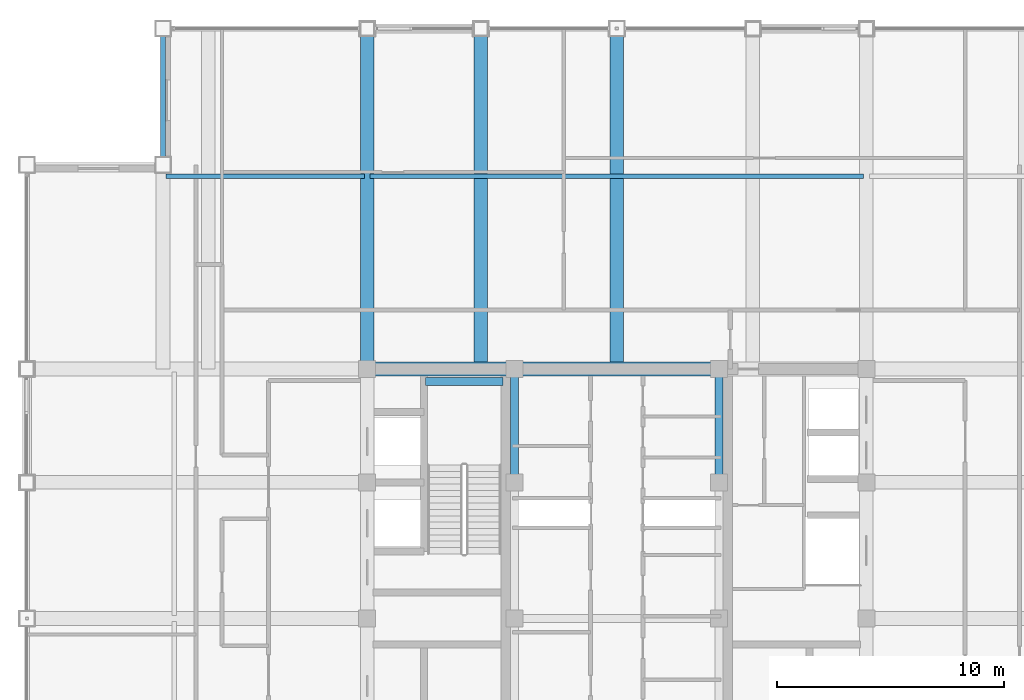
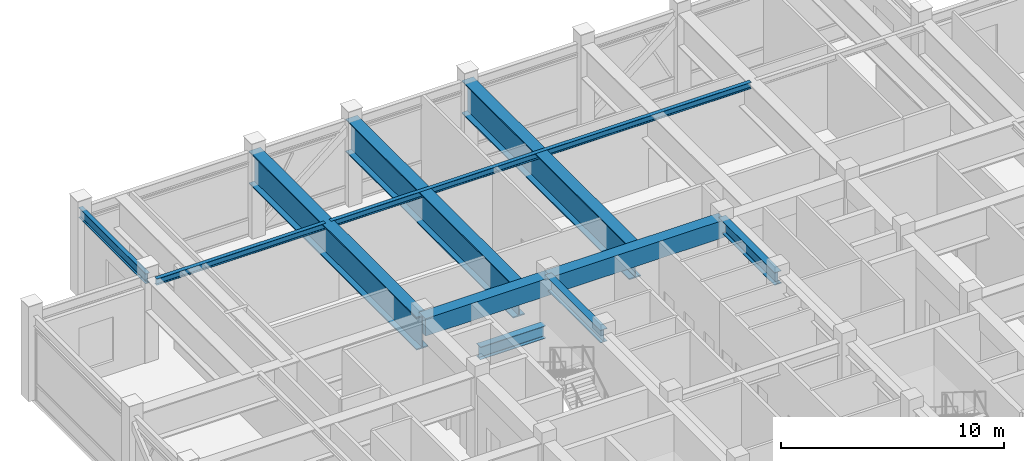
# One storey, part 15 of 29: 11 beams.
"""IFC4 building model written with IfcOpenShell, lengths in metres."""

import ifcopenshell
import ifcopenshell.guid

model = None  # the IFC model being written
_history = None  # IfcOwnerHistory: only IFC2X3 demands one
_inside = {}  # id of a spatial element -> (the spatial element, [elements in it])
_under = {}  # id of a project, library or spatial element -> (it, [spatial elements below it])
_declared = {}  # id of a project -> (the project, [libraries it declares])
_typed = {}  # id of a type object -> (the type object, [elements of that type])
_made_of = {}  # id of a material, layer set ... -> (it, [elements and type objects made of it])


def new_model(schema):
    """Start an empty IFC model of exactly this schema.

    Asked for "IFC4X3", IfcOpenShell would pick the latest addendum, in which some entities
    have other attributes; the version numbers below select the first issue.
    IFC2X3 requires an IfcOwnerHistory on every rooted entity: one is made here for all.
    """
    global model, _history
    if schema == "IFC4X3":
        model = ifcopenshell.file(schema_version=(4, 3, 0, 0))
    else:
        model = ifcopenshell.file(schema=schema)
    _inside.clear()
    _under.clear()
    _declared.clear()
    _typed.clear()
    _made_of.clear()
    _history = None
    if model.schema == "IFC2X3":
        org = make("IfcOrganization", Name="unknown")
        user = make(
            "IfcPersonAndOrganization",
            ThePerson=make("IfcPerson", FamilyName="unknown"),
            TheOrganization=org,
        )
        app = make(
            "IfcApplication",
            ApplicationDeveloper=org,
            Version="unknown",
            ApplicationFullName="unknown",
            ApplicationIdentifier="unknown",
        )
        _history = make(
            "IfcOwnerHistory",
            OwningUser=user,
            OwningApplication=app,
            ChangeAction="ADDED",
            CreationDate=0,
        )
    return model


def make(cls, **values):
    """One entity of the class cls with the attributes given. An attribute that is None is left unset."""
    return model.create_entity(
        cls, **{name: value for name, value in values.items() if value is not None}
    )


def rooted(cls, **values):
    """An entity with a GlobalId (a new one), such as an element, a storey or a relation."""
    return make(cls, GlobalId=ifcopenshell.guid.new(), OwnerHistory=_history, **values)


def si_unit(unit_type, name, prefix=None):
    """IfcSIUnit, for example si_unit("LENGTHUNIT", "METRE", prefix="MILLI")."""
    return make("IfcSIUnit", UnitType=unit_type, Prefix=prefix, Name=name)


def assignment(units):
    """IfcUnitAssignment: the units of a project."""
    return None if units is None else make("IfcUnitAssignment", Units=units)


def point(xyz):
    """IfcCartesianPoint."""
    return None if xyz is None else make("IfcCartesianPoint", Coordinates=xyz)


def direction(xyz):
    """IfcDirection."""
    return None if xyz is None else make("IfcDirection", DirectionRatios=xyz)


def frame(location, z_axis=None, x_axis=None):
    """IfcAxis2Placement3D, a coordinate frame: its origin and axes. An axis left out is left unset."""
    return make(
        "IfcAxis2Placement3D",
        Location=point(location),
        Axis=direction(z_axis),
        RefDirection=direction(x_axis),
    )


def frame_2d(location, x_axis=None):
    """IfcAxis2Placement2D, a coordinate frame in the plane: its origin and x axis."""
    return make(
        "IfcAxis2Placement2D", Location=point(location), RefDirection=direction(x_axis)
    )


def origin():
    """The frame at (0, 0, 0) with its axes left unset."""
    return frame((0.0, 0.0, 0.0))


def origin_2d():
    """The frame at (0, 0) in the plane with its x axis left unset."""
    return frame_2d((0.0, 0.0))


def place(relative_to, where):
    """IfcLocalPlacement: puts the frame where relative to a parent placement (None: the world)."""
    return make(
        "IfcLocalPlacement", PlacementRelTo=relative_to, RelativePlacement=where
    )


def context(
    kind, dimensions, precision=None, world=None, true_north=None, identifier=None
):
    """IfcGeometricRepresentationContext, for example the 3D "Model" context."""
    return make(
        "IfcGeometricRepresentationContext",
        ContextIdentifier=identifier,
        ContextType=kind,
        CoordinateSpaceDimension=dimensions,
        Precision=precision,
        WorldCoordinateSystem=world,
        TrueNorth=true_north,
    )


def subcontext(parent, identifier, kind, view, scale=None):
    """IfcGeometricRepresentationSubContext, for example "Body" below "Model"."""
    return make(
        "IfcGeometricRepresentationSubContext",
        ContextIdentifier=identifier,
        ContextType=kind,
        ParentContext=parent,
        TargetScale=scale,
        TargetView=view,
    )


def project(units=None, contexts=None):
    """IfcProject with its units and contexts."""
    return rooted(
        "IfcProject",
        Name="project",
        RepresentationContexts=contexts,
        UnitsInContext=assignment(units),
    )


def spatial(cls, under=None, at=None, **own):
    """A site, building, storey or space (cls), placed at a placement, below another one or the project."""
    s = rooted(cls, ObjectPlacement=at, **own)
    if under is not None:
        _under.setdefault(under.id(), (under, []))[1].append(s)
    return s


def profile(cls, at=None, kind="AREA", **sizes):
    """A parametric profile (cls). Its sizes go by their IFC names, for example OverallWidth=200.0."""
    return make(cls, ProfileType=kind, Position=at, **sizes)


def rectangle(**sizes):
    """IfcRectangleProfileDef."""
    return profile("IfcRectangleProfileDef", **sizes)


def i_section(**sizes):
    """IfcIShapeProfileDef."""
    return profile("IfcIShapeProfileDef", **sizes)


def extrude(swept, where, along, depth):
    """IfcExtrudedAreaSolid: the profile swept, set in the frame where, extruded along a direction by depth."""
    return make(
        "IfcExtrudedAreaSolid",
        SweptArea=swept,
        Position=where,
        ExtrudedDirection=direction(along),
        Depth=depth,
    )


def shape(context_of_items, identifier, shape_type, items):
    """IfcShapeRepresentation: the items that make up one representation, for example the "Body"."""
    return make(
        "IfcShapeRepresentation",
        ContextOfItems=context_of_items,
        RepresentationIdentifier=identifier,
        RepresentationType=shape_type,
        Items=items,
    )


def source(mapping_origin, context_of_items, identifier, shape_type, items):
    """IfcRepresentationMap: a shape defined once, which mapped items show again and again."""
    return make(
        "IfcRepresentationMap",
        MappingOrigin=mapping_origin,
        MappedRepresentation=shape(context_of_items, identifier, shape_type, items),
    )


def transform(
    local_origin,
    x_axis=None,
    y_axis=None,
    z_axis=None,
    scale=None,
    scale2=None,
    scale3=None,
    uniform=True,
):
    """IfcCartesianTransformationOperator3D, or its non-uniform kind. x_axis, y_axis, z_axis: its Axis1, 2, 3."""
    if uniform:
        return make(
            "IfcCartesianTransformationOperator3D",
            Axis1=direction(x_axis),
            Axis2=direction(y_axis),
            LocalOrigin=point(local_origin),
            Scale=scale,
            Axis3=direction(z_axis),
        )
    return make(
        "IfcCartesianTransformationOperator3DnonUniform",
        Axis1=direction(x_axis),
        Axis2=direction(y_axis),
        LocalOrigin=point(local_origin),
        Scale=scale,
        Axis3=direction(z_axis),
        Scale2=scale2,
        Scale3=scale3,
    )


def mapped(mapping_source, mapping_target):
    """IfcMappedItem: shows the shape of a source again, moved by a transform."""
    return make(
        "IfcMappedItem", MappingSource=mapping_source, MappingTarget=mapping_target
    )


def material(Name=None, Category=None):
    """IfcMaterial."""
    return make("IfcMaterial", Name=Name, Category=Category)


def material_profile(
    of_material, cross_section, Name=None, Category=None, Priority=None
):
    """IfcMaterialProfile: a cross section and its material."""
    return make(
        "IfcMaterialProfile",
        Name=Name,
        Material=of_material,
        Profile=cross_section,
        Priority=Priority,
        Category=Category,
    )


def profile_set(profiles, Name=None, composite=None):
    """IfcMaterialProfileSet."""
    return make(
        "IfcMaterialProfileSet",
        Name=Name,
        MaterialProfiles=profiles,
        CompositeProfile=composite,
    )


def made_of(thing, what):
    """Note that an element or type object is made of a material, layer set ...; save() writes the relation."""
    if what is not None:
        _made_of.setdefault(what.id(), (what, []))[1].append(thing)
    return thing


def type_object(cls, material=None, **own):
    """A type object (cls), such as IfcWallType, which elements share."""
    return made_of(rooted(cls, **own), material)


def element(
    cls,
    number,
    at=None,
    inside=None,
    cuts=None,
    type_object=None,
    material=None,
    context=None,
    identifier="Body",
    shape_type=None,
    held_by="IfcProductDefinitionShape",
    body=None,
    shapes=None,
    **own,
):
    """One element of the class cls, such as IfcWall. Its Tag is "e" and its number.

    at: its placement. inside: the storey or other place that contains it. cuts: it is an
    opening in that element (IfcRelVoidsElement). A single representation is given by context,
    identifier, shape_type and body (its items); several are given by shapes. held_by: the class
    of the entity that holds the representations. save() writes the other relations.
    """
    e = rooted(cls, Tag="e%d" % number, ObjectPlacement=at, **own)
    if body is not None:
        shapes = [shape(context, identifier, shape_type, body)]
    if shapes is not None:
        e.Representation = make(held_by, Representations=shapes)
    if inside is not None:
        _inside.setdefault(inside.id(), (inside, []))[1].append(e)
    if cuts is not None:
        rooted(
            "IfcRelVoidsElement", RelatingBuildingElement=cuts, RelatedOpeningElement=e
        )
    if type_object is not None:
        _typed.setdefault(type_object.id(), (type_object, []))[1].append(e)
    return made_of(e, material)


def aggregate(whole, parts):
    """IfcRelAggregates: a whole, such as a stair, and the parts it consists of."""
    return rooted("IfcRelAggregates", RelatingObject=whole, RelatedObjects=parts)


def save(model, path):
    """Write the relations noted so far, then the file.

    IfcRelAggregates (storeys below a building ...), IfcRelContainedInSpatialStructure (elements
    in a storey), IfcRelDefinesByType, IfcRelAssociatesMaterial and IfcRelDeclares: one each for
    every whole, place, type object, material and project.
    """
    for whole, parts in _under.values():
        aggregate(whole, parts)
    for where, things in _inside.values():
        rooted(
            "IfcRelContainedInSpatialStructure",
            RelatedElements=things,
            RelatingStructure=where,
        )
    for kind, things in _typed.values():
        rooted("IfcRelDefinesByType", RelatedObjects=things, RelatingType=kind)
    for what, things in _made_of.values():
        rooted("IfcRelAssociatesMaterial", RelatedObjects=things, RelatingMaterial=what)
    for by, libraries in _declared.values():
        rooted("IfcRelDeclares", RelatingContext=by, RelatedDefinitions=libraries)
    model.write(path)


model = new_model("IFC4")

# Units and contexts
model_context = context("Model", 3, precision=1e-05, world=origin(), true_north=direction((0.0, 1.0)))
body_context = subcontext(model_context, "Body", "Model", "MODEL_VIEW")
ifc_project = project(units=[si_unit("LENGTHUNIT", "METRE"), si_unit("AREAUNIT", "SQUARE_METRE"), si_unit("VOLUMEUNIT", "CUBIC_METRE"), si_unit("PLANEANGLEUNIT", "RADIAN"), si_unit("MASSUNIT", "GRAM", prefix="KILO")], contexts=[model_context])

# Site, building, storey
site_placement = place(None, origin())
site = spatial("IfcSite", under=ifc_project, at=site_placement, CompositionType="ELEMENT")
building_placement = place(site_placement, origin())
building = spatial("IfcBuilding", under=site, at=building_placement, Name="Khorayat Bourse Tower", CompositionType="ELEMENT")
storey_placement = place(building_placement, frame((0.0, 0.0, 370.300048828125)))
storey = spatial("IfcBuildingStorey", under=building, at=storey_placement, Name="L88", CompositionType="ELEMENT", Elevation=370.300048828125)

# Beams
ifc_material_1 = material(Name="Steel ASTM A992 Grade 50", Category="steel")
ifc_material_profile_1 = material_profile(ifc_material_1, i_section(OverallWidth=0.35498046875, OverallDepth=0.695068359375, WebThickness=0.015380859375, FlangeThickness=0.02490234375, FilletRadius=0.01806640625, at=origin_2d()), Name="W690X217")
ifc_profile_set_1 = profile_set([ifc_material_profile_1], Name="Steel ASTM A992 Grade 50")
beam_type_1 = type_object("IfcBeamType", Name="BM-GIRD-690", PredefinedType="BEAM", material=ifc_profile_set_1)
shared_shape_1 = source(origin(), body_context, "Body", "SweptSolid", [
    extrude(i_section(OverallWidth=0.35498046875, OverallDepth=0.695068359375, WebThickness=0.015380859375, FlangeThickness=0.02490234375, FilletRadius=0.01806640625, at=origin_2d()), origin(), (0.0, 0.0, 1.0), 5.0),
])
for number, where, z_axis, x_axis, name in (
    (1, (-4.5, 6.0, 4.25244140625), (0.0, 1.0, 0.0), (-1.0, 0.0, 0.0), "L88 BM-GIRD-690 BM-L88-CRX-08"),
    (2, (4.5, 6.0, 4.25244140625), (0.0, 1.0, 0.0), (-1.0, 0.0, 0.0), "L88 BM-GIRD-690 BM-L88-CRX-12"),
):
    element("IfcBeam", number, at=place(storey_placement, frame(where, z_axis=z_axis, x_axis=x_axis)), inside=storey, type_object=beam_type_1, Name=name, PredefinedType="BEAM", context=body_context, shape_type="MappedRepresentation", body=[
        mapped(shared_shape_1, transform((0.0, 0.0, 0.0), scale=1.0)),
    ])
shared_shape_2 = source(origin(), body_context, "Body", "SweptSolid", [
    extrude(i_section(OverallWidth=0.35498046875, OverallDepth=0.695068359375, WebThickness=0.015380859375, FlangeThickness=0.02490234375, FilletRadius=0.01806640625, at=origin_2d()), origin(), (0.0, 0.0, 1.0), 3.39990234375),
])
beam_1_placement = place(storey_placement, frame((-8.419921875, 10.449951171875, 2.052490234375), z_axis=(1.0, 0.0, 0.0), x_axis=(0.0, 1.0, 0.0)))
element("IfcBeam", 3, at=beam_1_placement, inside=storey, type_object=beam_type_1, Name="L88 BM-GIRD-690 BM-L88-ST2L", PredefinedType="BEAM", context=body_context, shape_type="MappedRepresentation", body=[
    mapped(shared_shape_2, transform((0.0, 0.0, 0.0), scale=1.0)),
])
ifc_material_2 = material(Name="Concrete C60/75", Category="concrete")
ifc_material_profile_2 = material_profile(ifc_material_2, rectangle(XDim=0.60009765625, YDim=0.949951171875, at=origin_2d()), Name="RC 600x950")
ifc_profile_set_2 = profile_set([ifc_material_profile_2], Name="Concrete C60/75")
beam_type_2 = type_object("IfcBeamType", Name="BM-COUP-950", PredefinedType="BEAM", material=ifc_profile_set_2)
shared_shape_3 = source(origin(), body_context, "Body", "SweptSolid", [
    extrude(rectangle(XDim=0.60009765625, YDim=0.949951171875, at=origin_2d()), origin(), (0.0, 0.0, 1.0), 6.5),
])
beam_2_placement = place(storey_placement, frame((-11.0, 11.0, 4.125), z_axis=(1.0, 0.0, 0.0), x_axis=(0.0, 1.0, 0.0)))
element("IfcBeam", 4, at=beam_2_placement, inside=storey, type_object=beam_type_2, Name="L88 BM-COUP-950 BM-L88-CRY-20", PredefinedType="BEAM", context=body_context, shape_type="MappedRepresentation", body=[
    mapped(shared_shape_3, transform((0.0, 0.0, 0.0), scale=1.0)),
])
shared_shape_4 = source(origin(), body_context, "Body", "SweptSolid", [
    extrude(rectangle(XDim=0.60009765625, YDim=0.949951171875, at=origin_2d()), origin(), (0.0, 0.0, 1.0), 9.0),
])
beam_3_placement = place(storey_placement, frame((-4.5, 11.0, 4.125), z_axis=(1.0, 0.0, 0.0), x_axis=(0.0, 1.0, 0.0)))
element("IfcBeam", 5, at=beam_3_placement, inside=storey, type_object=beam_type_2, Name="L88 BM-COUP-950 BM-L88-CRY-21", PredefinedType="BEAM", context=body_context, shape_type="MappedRepresentation", body=[
    mapped(shared_shape_4, transform((0.0, 0.0, 0.0), scale=1.0)),
])
ifc_material_profile_3 = material_profile(ifc_material_1, i_section(OverallWidth=0.202880859375, OverallDepth=0.346923828125, WebThickness=0.0078125, FlangeThickness=0.013427734375, FilletRadius=0.010009765625, at=origin_2d()), Name="W360X64")
ifc_profile_set_3 = profile_set([ifc_material_profile_3], Name="Steel ASTM A992 Grade 50")
beam_type_3 = type_object("IfcBeamType", Name="BM-JOIST-360", PredefinedType="JOIST", material=ifc_profile_set_3)
shared_shape_5 = source(origin(), body_context, "Body", "SweptSolid", [
    extrude(i_section(OverallWidth=0.202880859375, OverallDepth=0.346923828125, WebThickness=0.0078125, FlangeThickness=0.013427734375, FilletRadius=0.010009765625, at=origin_2d()), origin(), (0.0, 0.0, 1.0), 21.740234375),
])
beam_4_placement = place(storey_placement, frame((-10.8701171875, 19.5, 4.426513671875), z_axis=(1.0, 0.0, 0.0), x_axis=(0.0, 1.0, 0.0)))
element("IfcBeam", 6, at=beam_4_placement, inside=storey, type_object=beam_type_3, Name="L88 BM-JOIST-360 BM-L88-JSTX-092", PredefinedType="JOIST", context=body_context, shape_type="MappedRepresentation", body=[
    mapped(shared_shape_5, transform((0.0, 0.0, 0.0), scale=1.0)),
])
ifc_material_profile_4 = material_profile(ifc_material_1, i_section(OverallWidth=0.214111328125, OverallDepth=0.549072265625, WebThickness=0.0146484375, FlangeThickness=0.023681640625, FilletRadius=0.013916015625, at=origin_2d()), Name="W530X138")
ifc_profile_set_4 = profile_set([ifc_material_profile_4], Name="Steel ASTM A992 Grade 50")
beam_type_4 = type_object("IfcBeamType", Name="BM-SPAN-530", PredefinedType="SPANDREL", material=ifc_profile_set_4)
shared_shape_6 = source(origin(), body_context, "Body", "SweptSolid", [
    extrude(i_section(OverallWidth=0.214111328125, OverallDepth=0.549072265625, WebThickness=0.0146484375, FlangeThickness=0.023681640625, FilletRadius=0.013916015625, at=origin_2d()), origin(), (0.0, 0.0, 1.0), 6.0),
])
beam_5_placement = place(storey_placement, frame((-20.0, 20.0, 4.325439453125), z_axis=(0.0, 1.0, 0.0), x_axis=(-1.0, 0.0, 0.0)))
element("IfcBeam", 7, at=beam_5_placement, inside=storey, type_object=beam_type_4, Name="L88 BM-SPAN-530 BM-L88-SPN-046", PredefinedType="SPANDREL", context=body_context, shape_type="MappedRepresentation", body=[
    mapped(shared_shape_6, transform((0.0, 0.0, 0.0), scale=1.0)),
])
shared_shape_7 = source(origin(), body_context, "Body", "SweptSolid", [
    extrude(i_section(OverallWidth=0.202880859375, OverallDepth=0.346923828125, WebThickness=0.0078125, FlangeThickness=0.013427734375, FilletRadius=0.010009765625, at=origin_2d()), origin(), (0.0, 0.0, 1.0), 8.740234375),
])
beam_6_placement = place(storey_placement, frame((-19.8701171875, 19.5, 4.426513671875), z_axis=(1.0, 0.0, 0.0), x_axis=(0.0, 1.0, 0.0)))
element("IfcBeam", 8, at=beam_6_placement, inside=storey, type_object=beam_type_3, Name="L88 BM-JOIST-360 BM-L88-JSTX-091", PredefinedType="JOIST", context=body_context, shape_type="MappedRepresentation", body=[
    mapped(shared_shape_7, transform((0.0, 0.0, 0.0), scale=1.0)),
])
ifc_material_3 = material(Name="Steel EN 10025-4 S460M", Category="steel")
ifc_material_profile_5 = material_profile(ifc_material_3, i_section(OverallWidth=0.60009765625, OverallDepth=1.800048828125, WebThickness=0.031982421875, FlangeThickness=0.06005859375, at=origin_2d()), Name="PG 1800x600x32x60")
ifc_profile_set_5 = profile_set([ifc_material_profile_5], Name="Steel EN 10025-4 S460M")
beam_type_5 = type_object("IfcBeamType", Name="BM-TR-1800", PredefinedType="BEAM", material=ifc_profile_set_5)
shared_shape_8 = source(origin(), body_context, "Body", "SweptSolid", [
    extrude(i_section(OverallWidth=0.60009765625, OverallDepth=1.800048828125, WebThickness=0.031982421875, FlangeThickness=0.06005859375, at=origin_2d()), origin(), (0.0, 0.0, 1.0), 15.0),
])
for number, where, z_axis, x_axis, name in (
    (9, (-11.0, 11.0, 3.699951171875), (0.0, 1.0, 0.0), (-1.0, 0.0, 0.0), "L88 BM-TR-1800 BM-L88-RADY-056"),
    (10, (-6.0, 11.0, 3.699951171875), (0.0, 1.0, 0.0), (-1.0, 0.0, 0.0), "L88 BM-TR-1800 BM-L88-RADY-058"),
    (11, (0.0, 11.0, 3.699951171875), (0.0, 1.0, 0.0), (-1.0, 0.0, 0.0), "L88 BM-TR-1800 BM-L88-RADY-060"),
):
    element("IfcBeam", number, at=place(storey_placement, frame(where, z_axis=z_axis, x_axis=x_axis)), inside=storey, type_object=beam_type_5, Name=name, PredefinedType="BEAM", context=body_context, shape_type="MappedRepresentation", body=[
        mapped(shared_shape_8, transform((0.0, 0.0, 0.0), scale=1.0)),
    ])

save(model, "model.ifc")
